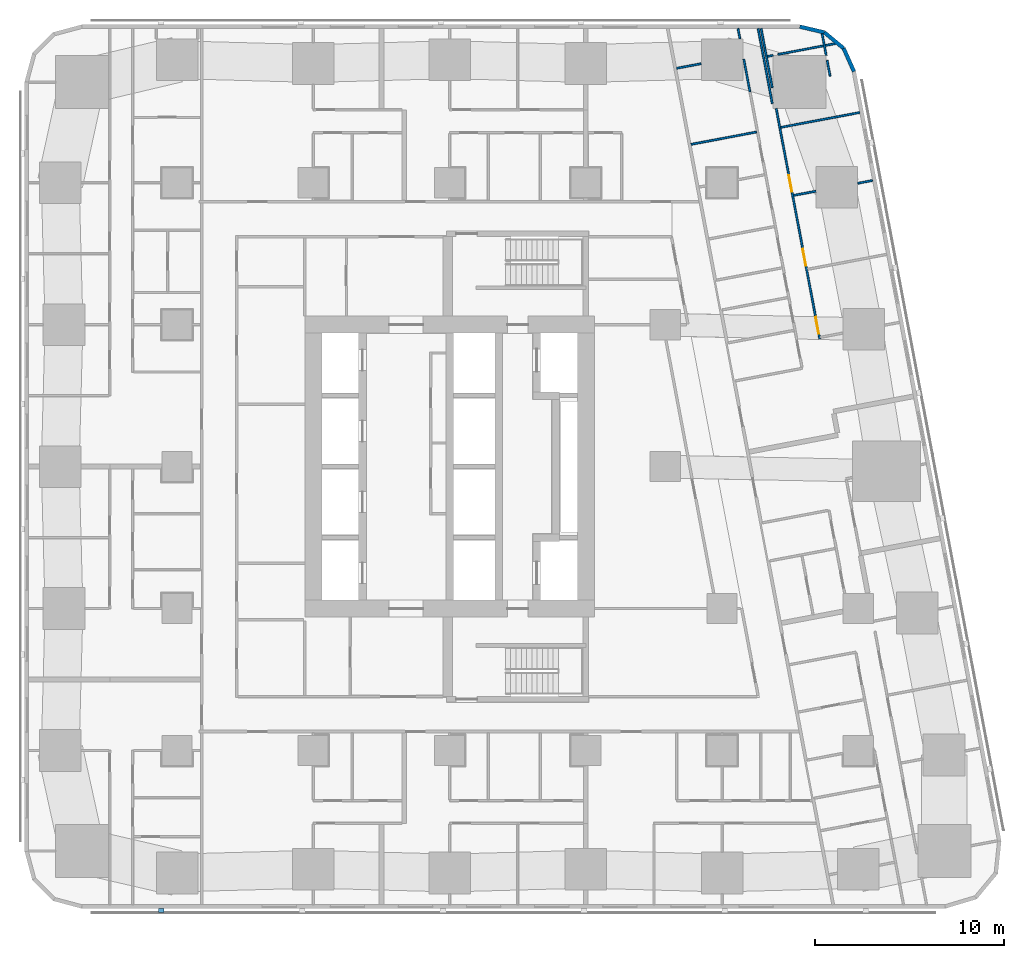
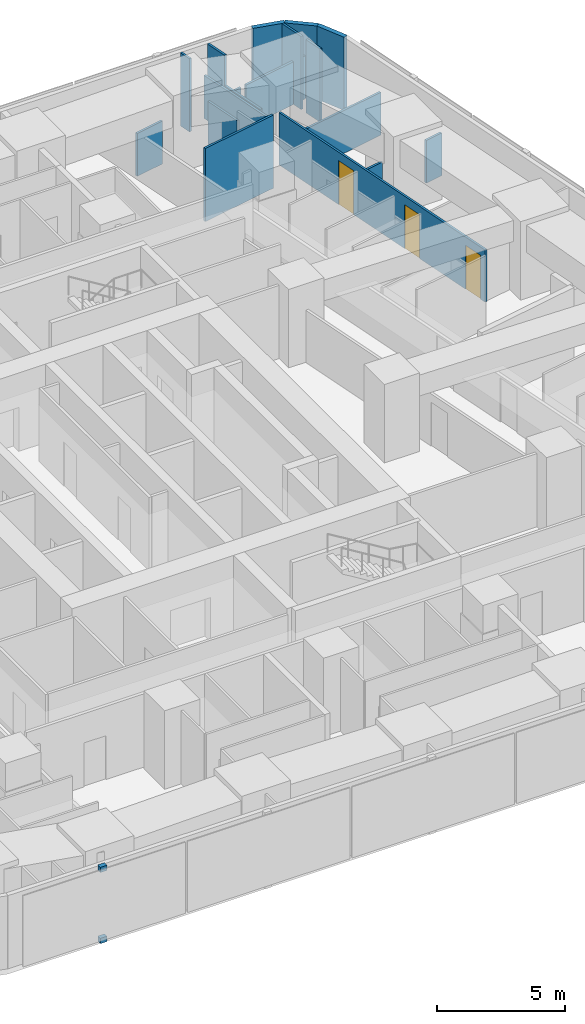
# One storey, part 12 of 17: 18 walls, 3 doors, 2 discrete accessories, 3 openings.
"""IFC4 building model written with IfcOpenShell, lengths in metres."""

from ifc_helpers import new_model, si_unit, direction, frame, frame_2d, origin, origin_2d, place, context, subcontext, project, spatial, rectangle, extrude, material, layer, layer_set, type_object, element, fill, save


model = new_model("IFC4")

# Units and contexts
model_context = context("Model", 3, precision=1e-05, world=origin(), true_north=direction((0.0, 1.0)))
body_context = subcontext(model_context, "Body", "Model", "MODEL_VIEW")
ifc_project = project(units=[si_unit("LENGTHUNIT", "METRE"), si_unit("AREAUNIT", "SQUARE_METRE"), si_unit("VOLUMEUNIT", "CUBIC_METRE"), si_unit("PLANEANGLEUNIT", "RADIAN"), si_unit("MASSUNIT", "GRAM", prefix="KILO")], contexts=[model_context])

# Site, building, storey
site_placement = place(None, origin())
site = spatial("IfcSite", under=ifc_project, at=site_placement, CompositionType="ELEMENT")
building_placement = place(site_placement, origin())
building = spatial("IfcBuilding", under=site, at=building_placement, Name="Sheger Commons Tower", CompositionType="ELEMENT")
storey_placement = place(building_placement, frame((0.0, 0.0, 115.39990234375)))
storey = spatial("IfcBuildingStorey", under=building, at=storey_placement, Name="L29", CompositionType="ELEMENT", Elevation=115.39990234375)

# Walls
ifc_material_1 = material(Name="Rendered concrete block masonry, dark grey", Category="masonry")
ifc_layer_1 = layer(ifc_material_1, 0.199951171875)
ifc_layer_set_1 = layer_set([ifc_layer_1], Name="FACADE WALL 200")
wall_type_1 = type_object("IfcWallType", Name="FACADE WALL 200", PredefinedType="SOLIDWALL", material=ifc_layer_set_1)
wall_1_placement = place(storey_placement, frame((42.969970703125, 43.376953125, 0.0), z_axis=(0.0, 0.0, 1.0), x_axis=(-0.406002956633, 0.913871762998, 0.0)))
element("IfcWall", 1, at=wall_1_placement, inside=storey, type_object=wall_type_1, Name="Facade wall L29", PredefinedType="SOLIDWALL", context=body_context, shape_type="SweptSolid", body=[
    extrude(rectangle(XDim=1.33740234375, YDim=0.199951171875, at=frame_2d((0.668701171875, 0.0))), origin(), (0.0, 0.0, 1.0), 3.5),
])
wall_2_placement = place(storey_placement, frame((42.427001953125, 44.59912109375, 0.0), z_axis=(0.0, 0.0, 1.0), x_axis=(-0.770091412544, 0.637933551655, 0.0)))
element("IfcWall", 2, at=wall_2_placement, inside=storey, type_object=wall_type_1, Name="Facade wall L29", PredefinedType="SOLIDWALL", context=body_context, shape_type="SweptSolid", body=[
    extrude(rectangle(XDim=1.324462890625, YDim=0.199951171875, at=frame_2d((0.662109375, 0.0))), origin(), (0.0, 0.0, 1.0), 3.5),
])
wall_3_placement = place(storey_placement, frame((41.406982421875, 45.444091796875, 0.0), z_axis=(0.0, 0.0, 1.0), x_axis=(-0.973453091607, 0.228886606077, 0.0)))
element("IfcWall", 3, at=wall_3_placement, inside=storey, type_object=wall_type_1, Name="Facade wall L29", PredefinedType="SOLIDWALL", context=body_context, shape_type="SweptSolid", body=[
    extrude(rectangle(XDim=1.33642578125, YDim=0.199951171875, at=frame_2d((0.668212890625, 0.0))), origin(), (0.0, 0.0, 1.0), 3.5),
])
ifc_material_2 = material(Name="Gypsum board on steel studs", Category="steel")
ifc_layer_2 = layer(ifc_material_2, 0.10009765625)
ifc_layer_set_2 = layer_set([ifc_layer_2], Name="PARTITION 100")
wall_type_2 = type_object("IfcWallType", Name="PARTITION 100", PredefinedType="PARTITIONING", material=ifc_layer_set_2)
wall_4_placement = place(storey_placement, frame((38.654052734375, 41.68603515625, 0.0), z_axis=(0.0, 0.0, 1.0), x_axis=(-0.185676896978, 0.982610853761, 0.0)))
element("IfcWall", 4, at=wall_4_placement, inside=storey, type_object=wall_type_2, Name="Partition L29", PredefinedType="PARTITIONING", context=body_context, shape_type="SweptSolid", body=[
    extrude(rectangle(XDim=4.033935546875, YDim=0.10009765625, at=frame_2d((2.01708984375, 0.0))), origin(), (0.0, 0.0, 1.0), 2.050048828125),
])
wall_5_placement = place(storey_placement, frame((41.287109375, 45.3701171875, 0.0), z_axis=(0.0, 0.0, 1.0), x_axis=(0.185121628323, -0.982715616405, 0.0)))
element("IfcWall", 5, at=wall_5_placement, inside=storey, type_object=wall_type_2, Name="Partition L29", PredefinedType="PARTITIONING", context=body_context, shape_type="SweptSolid", body=[
    extrude(rectangle(XDim=1.14990234375, YDim=0.10009765625, at=frame_2d((0.574951171875, 0.0))), origin(), (0.0, 0.0, 1.0), 3.5),
])
wall_6_placement = place(storey_placement, frame((41.551025390625, 43.968994140625, 0.0), z_axis=(0.0, 0.0, 1.0), x_axis=(0.185884171512, -0.982571663942, 0.0)))
element("IfcWall", 6, at=wall_6_placement, inside=storey, type_object=wall_type_2, Name="Partition L29", PredefinedType="PARTITIONING", context=body_context, shape_type="SweptSolid", body=[
    extrude(rectangle(XDim=0.849853515625, YDim=0.10009765625, at=frame_2d((0.4248046875, 0.0))), origin(), (0.0, 0.0, 1.0), 3.5),
])
wall_7_placement = place(storey_placement, frame((38.06298828125, 45.64990234375, 0.0), z_axis=(0.0, 0.0, 1.0), x_axis=(0.185677287841, -0.982610779902, 0.0)))
element("IfcWall", 7, at=wall_7_placement, inside=storey, type_object=wall_type_2, Name="Partition L29", PredefinedType="PARTITIONING", context=body_context, shape_type="SweptSolid", body=[
    extrude(rectangle(XDim=1.0400390625, YDim=0.10009765625, at=frame_2d((0.52001953125, 0.0))), origin(), (0.0, 0.0, 1.0), 3.5),
])
wall_8_placement = place(storey_placement, frame((38.256103515625, 44.6279296875, 0.0), z_axis=(0.0, 0.0, 1.0), x_axis=(0.185757524649, -0.982595614704, 0.0)))
element("IfcWall", 8, at=wall_8_placement, inside=storey, type_object=wall_type_2, Name="Partition L29", PredefinedType="PARTITIONING", context=body_context, shape_type="SweptSolid", body=[
    extrude(rectangle(XDim=2.136962890625, YDim=0.10009765625, at=frame_2d((1.068359375, 0.0))), origin(), (0.0, 0.0, 1.0), 2.050048828125),
])

# Wall, openings, doors
wall_9_placement = place(storey_placement, frame((38.862060546875, 41.419921875, 0.0), z_axis=(0.0, 0.0, 1.0), x_axis=(0.185550092293, -0.982634806655, 0.0)))
wall_9 = element("IfcWall", 9, at=wall_9_placement, inside=storey, type_object=wall_type_2, Name="Partition L29", PredefinedType="PARTITIONING", context=body_context, shape_type="SweptSolid", body=[
    extrude(rectangle(XDim=12.384033203125, YDim=0.10009765625, at=frame_2d((6.19189453125, 0.0))), origin(), (0.0, 0.0, 1.0), 2.5),
])
opening_1_placement = place(wall_9_placement, frame((11.2119140625, 0.0, 0.0)))
opening_1 = element("IfcOpeningElement", 10, at=opening_1_placement, cuts=wall_9, Name="Opening D2", PredefinedType="OPENING", context=body_context, shape_type="SweptSolid", body=[
    extrude(rectangle(XDim=0.89990234375, YDim=2.10009765625, at=frame_2d((0.449951171875, 1.050048828125))), frame((0.0, 0.06005859375, 0.0), z_axis=(0.0, -1.0, 0.0), x_axis=(1.0, 0.0, 0.0)), (0.0, 0.0, 1.0), 0.1201171875),
])
opening_2_placement = place(wall_9_placement, frame((7.554931640625, 0.0, 0.0)))
opening_2 = element("IfcOpeningElement", 11, at=opening_2_placement, cuts=wall_9, Name="Opening D2", PredefinedType="OPENING", context=body_context, shape_type="SweptSolid", body=[
    extrude(rectangle(XDim=0.89990234375, YDim=2.10009765625, at=frame_2d((0.449951171875, 1.050048828125))), frame((0.0, 0.06005859375, 0.0), z_axis=(0.0, -1.0, 0.0), x_axis=(1.0, 0.0, 0.0)), (0.0, 0.0, 1.0), 0.1201171875),
])
opening_3_placement = place(wall_9_placement, frame((3.5791015625, 0.0, 0.0)))
opening_3 = element("IfcOpeningElement", 12, at=opening_3_placement, cuts=wall_9, Name="Opening D2", PredefinedType="OPENING", context=body_context, shape_type="SweptSolid", body=[
    extrude(rectangle(XDim=0.89990234375, YDim=2.10009765625, at=frame_2d((0.449951171875, 1.050048828125))), frame((0.0, 0.06005859375, 0.0), z_axis=(0.0, -1.0, 0.0), x_axis=(1.0, 0.0, 0.0)), (0.0, 0.0, 1.0), 0.1201171875),
])
ifc_material_3 = material(Name="Timber door set", Category="wood")
door_type = type_object("IfcDoorType", Name="INTERNAL DOOR 900x2100", OperationType="NOTDEFINED", PredefinedType="DOOR", material=ifc_material_3)
door_1_placement = place(opening_1_placement, origin())
door_1 = element("IfcDoor", 13, at=door_1_placement, inside=storey, type_object=door_type, Name="Main bedroom door", OperationType="SINGLE_SWING_RIGHT", OverallHeight=2.10009765625, OverallWidth=0.89990234375, PredefinedType="DOOR", context=body_context, shape_type="SweptSolid", body=[
    extrude(rectangle(XDim=0.89990234375, YDim=2.10009765625, at=frame_2d((0.449951171875, 1.050048828125))), frame((0.0, 0.02490234375, 0.0), z_axis=(0.0, -1.0, 0.0), x_axis=(1.0, 0.0, 0.0)), (0.0, 0.0, 1.0), 0.050048828125),
])
fill(opening_1, door_1)
door_2_placement = place(opening_2_placement, origin())
door_2 = element("IfcDoor", 14, at=door_2_placement, inside=storey, type_object=door_type, Name="Bedroom 2 door", OperationType="SINGLE_SWING_RIGHT", OverallHeight=2.10009765625, OverallWidth=0.89990234375, PredefinedType="DOOR", context=body_context, shape_type="SweptSolid", body=[
    extrude(rectangle(XDim=0.89990234375, YDim=2.10009765625, at=frame_2d((0.449951171875, 1.050048828125))), frame((0.0, 0.02490234375, 0.0), z_axis=(0.0, -1.0, 0.0), x_axis=(1.0, 0.0, 0.0)), (0.0, 0.0, 1.0), 0.050048828125),
])
fill(opening_2, door_2)
door_3_placement = place(opening_3_placement, origin())
door_3 = element("IfcDoor", 15, at=door_3_placement, inside=storey, type_object=door_type, Name="Bedroom 3 door", OperationType="SINGLE_SWING_RIGHT", OverallHeight=2.10009765625, OverallWidth=0.89990234375, PredefinedType="DOOR", context=body_context, shape_type="SweptSolid", body=[
    extrude(rectangle(XDim=0.89990234375, YDim=2.10009765625, at=frame_2d((0.449951171875, 1.050048828125))), frame((0.0, 0.02490234375, 0.0), z_axis=(0.0, -1.0, 0.0), x_axis=(1.0, 0.0, 0.0)), (0.0, 0.0, 1.0), 0.050048828125),
])
fill(opening_3, door_3)

# Walls
wall_10_placement = place(storey_placement, frame((36.842041015625, 45.64990234375, 0.0), z_axis=(0.0, 0.0, 1.0), x_axis=(0.185764109712, -0.98259436979, 0.0)))
element("IfcWall", 16, at=wall_10_placement, inside=storey, type_object=wall_type_2, Name="Partition L29", PredefinedType="PARTITIONING", context=body_context, shape_type="SweptSolid", body=[
    extrude(rectangle(XDim=0.54931640625, YDim=0.10009765625, at=frame_2d((0.274658203125, 0.0))), origin(), (0.0, 0.0, 1.0), 3.5),
])
wall_11_placement = place(storey_placement, frame((37.14892578125, 44.02294921875, 0.0), z_axis=(0.0, 0.0, 1.0), x_axis=(0.185741922314, -0.982598564163, 0.0)))
element("IfcWall", 17, at=wall_11_placement, inside=storey, type_object=wall_type_2, Name="Partition L29", PredefinedType="PARTITIONING", context=body_context, shape_type="SweptSolid", body=[
    extrude(rectangle(XDim=1.744140625, YDim=0.10009765625, at=frame_2d((0.8720703125, 0.0))), origin(), (0.0, 0.0, 1.0), 2.050048828125),
])
wall_12_placement = place(storey_placement, frame((41.968017578125, 44.85009765625, 0.0), z_axis=(0.0, 0.0, 1.0), x_axis=(-0.982566714195, -0.185910333644, 0.0)))
element("IfcWall", 18, at=wall_12_placement, inside=storey, type_object=wall_type_2, Name="Partition L29", PredefinedType="PARTITIONING", context=body_context, shape_type="SweptSolid", body=[
    extrude(rectangle(XDim=3.071533203125, YDim=0.10009765625, at=frame_2d((1.53564453125, 0.0))), origin(), (0.0, 0.0, 1.0), 2.050048828125),
])
wall_13_placement = place(storey_placement, frame((38.69189453125, 44.22998046875, 0.0), z_axis=(0.0, 0.0, 1.0), x_axis=(-0.982944840311, -0.183900627803, 0.0)))
element("IfcWall", 19, at=wall_13_placement, inside=storey, type_object=wall_type_2, Name="Partition L29", PredefinedType="PARTITIONING", context=body_context, shape_type="SweptSolid", body=[
    extrude(rectangle(XDim=0.303955078125, YDim=0.10009765625, at=frame_2d((0.15185546875, 0.0))), origin(), (0.0, 0.0, 1.0), 2.050048828125),
])
wall_14_placement = place(storey_placement, frame((43.277099609375, 41.2119140625, 0.0), z_axis=(0.0, 0.0, 1.0), x_axis=(-0.982665405803, -0.185387972203, 0.0)))
element("IfcWall", 20, at=wall_14_placement, inside=storey, type_object=wall_type_2, Name="Partition L29", PredefinedType="PARTITIONING", context=body_context, shape_type="SweptSolid", body=[
    extrude(rectangle(XDim=4.249755859375, YDim=0.10009765625, at=frame_2d((2.125, 0.0))), origin(), (0.0, 0.0, 1.0), 2.050048828125),
])
wall_15_placement = place(storey_placement, frame((43.955078125, 37.6201171875, 0.0), z_axis=(0.0, 0.0, 1.0), x_axis=(-0.98247004097, -0.186420542316, 0.0)))
element("IfcWall", 21, at=wall_15_placement, inside=storey, type_object=wall_type_2, Name="Partition L29", PredefinedType="PARTITIONING", context=body_context, shape_type="SweptSolid", body=[
    extrude(rectangle(XDim=0.794921875, YDim=0.10009765625, at=frame_2d((0.3974609375, 0.0))), origin(), (0.0, 0.0, 1.0), 2.050048828125),
])
wall_16_placement = place(storey_placement, frame((40.9541015625, 37.052978515625, 0.0), z_axis=(0.0, 0.0, 1.0), x_axis=(-0.982600492424, -0.185731721275, 0.0)))
element("IfcWall", 22, at=wall_16_placement, inside=storey, type_object=wall_type_2, Name="Partition L29", PredefinedType="PARTITIONING", context=body_context, shape_type="SweptSolid", body=[
    extrude(rectangle(XDim=1.19482421875, YDim=0.10009765625, at=frame_2d((0.597412109375, 0.0))), origin(), (0.0, 0.0, 1.0), 2.050048828125),
])
wall_17_placement = place(storey_placement, frame((34.889892578125, 43.7900390625, 0.0), z_axis=(0.0, 0.0, 1.0), x_axis=(-0.982696831521, -0.185221319826, 0.0)))
element("IfcWall", 23, at=wall_17_placement, inside=storey, type_object=wall_type_2, Name="Partition L29", PredefinedType="PARTITIONING", context=body_context, shape_type="SweptSolid", body=[
    extrude(rectangle(XDim=1.3115234375, YDim=0.10009765625, at=frame_2d((0.65576171875, 0.0))), origin(), (0.0, 0.0, 1.0), 2.050048828125),
])
wall_18_placement = place(storey_placement, frame((37.823974609375, 40.181884765625, 0.0), z_axis=(0.0, 0.0, 1.0), x_axis=(-0.982648794755, -0.185475998897, 0.0)))
element("IfcWall", 24, at=wall_18_placement, inside=storey, type_object=wall_type_2, Name="Partition L29", PredefinedType="PARTITIONING", context=body_context, shape_type="SweptSolid", body=[
    extrude(rectangle(XDim=3.525146484375, YDim=0.10009765625, at=frame_2d((1.7626953125, 0.0))), origin(), (0.0, 0.0, 1.0), 3.5),
])

# Discrete accessories
ifc_material_4 = material(Name="Black painted steel bracket", Category="steel")
discrete_accessory_type = type_object("IfcDiscreteAccessoryType", Name="SCREEN BRACKET 300x200x250", PredefinedType="BRACKET", material=ifc_material_4)
for number, where, z_axis, x_axis, name in (
    (25, (6.37109375, -0.949951171875, -0.099853515625), (0.0, 0.0, 1.0), (1.0, 0.0, 0.0), "Solar screen foot bracket"),
    (26, (6.37109375, -0.949951171875, 3.300048828125), (0.0, 0.0, 1.0), (1.0, 0.0, 0.0), "Solar screen head bracket"),
):
    element("IfcDiscreteAccessory", number, at=place(storey_placement, frame(where, z_axis=z_axis, x_axis=x_axis)), inside=storey, type_object=discrete_accessory_type, Name=name, PredefinedType="BRACKET", context=body_context, shape_type="SweptSolid", body=[
        extrude(rectangle(XDim=0.300048828125, YDim=0.199951171875, at=origin_2d()), origin(), (0.0, 0.0, 1.0), 0.25),
    ])

save(model, "model.ifc")
